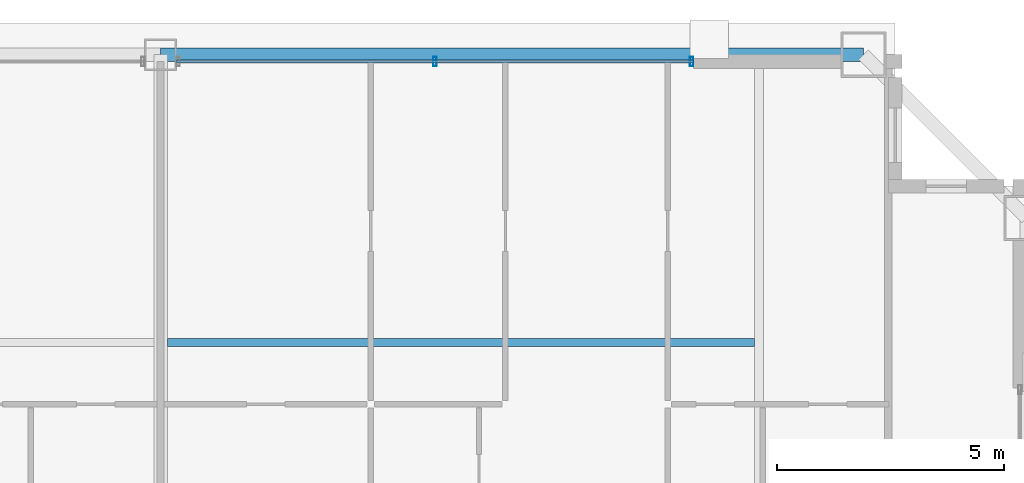
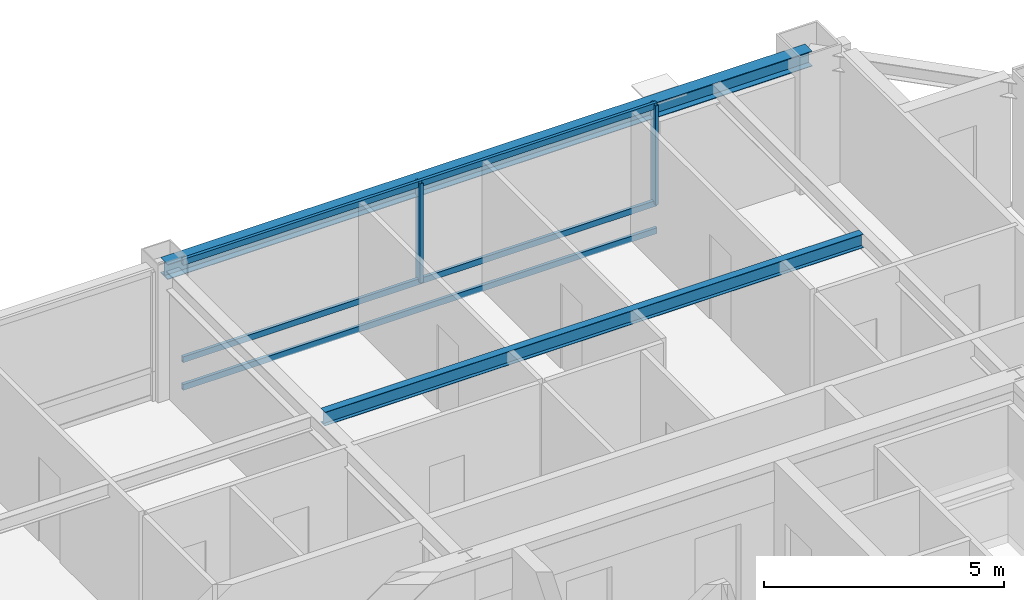
# One storey, part 19 of 35: 5 members, 2 beams, 1 element without a shape of its own.
"""IFC4 building model written with IfcOpenShell, lengths in metres."""

from ifc_helpers import new_model, si_unit, direction, frame, origin, origin_2d, place, context, subcontext, project, spatial, hollow_rectangle, i_section, extrude, source, transform, mapped, material, layer, layer_set, material_profile, profile_set, type_object, element, aggregate, save


model = new_model("IFC4")

# Units and contexts
model_context = context("Model", 3, precision=1e-05, world=origin(), true_north=direction((0.0, 1.0)))
body_context = subcontext(model_context, "Body", "Model", "MODEL_VIEW")
ifc_project = project(units=[si_unit("LENGTHUNIT", "METRE"), si_unit("AREAUNIT", "SQUARE_METRE"), si_unit("VOLUMEUNIT", "CUBIC_METRE"), si_unit("PLANEANGLEUNIT", "RADIAN"), si_unit("MASSUNIT", "GRAM", prefix="KILO"), si_unit("THERMODYNAMICTEMPERATUREUNIT", "KELVIN"), si_unit("POWERUNIT", "WATT")], contexts=[model_context])

# Site, building, storey
site_placement = place(None, origin())
site = spatial("IfcSite", under=ifc_project, at=site_placement, CompositionType="ELEMENT")
building_placement = place(site_placement, origin())
building = spatial("IfcBuilding", under=site, at=building_placement, Name="Yuzanri Waterfront Tower", CompositionType="ELEMENT")
storey_placement = place(building_placement, frame((0.0, 0.0, 332.199951171875)))
storey = spatial("IfcBuildingStorey", under=building, at=storey_placement, Name="L89", CompositionType="ELEMENT", Elevation=332.199951171875)

# Beams
ifc_material_1 = material(Name="Steel Q355B", Category="steel")
ifc_material_profile_1 = material_profile(ifc_material_1, i_section(OverallWidth=0.175048828125, OverallDepth=0.35009765625, WebThickness=0.007080078125, FlangeThickness=0.010986328125, at=origin_2d()), Name="HN 350x175x7x11")
ifc_profile_set_1 = profile_set([ifc_material_profile_1], Name="Steel Q355B")
beam_type_1 = type_object("IfcBeamType", Name="Floor Joist Q355B HN 350x175", PredefinedType="JOIST", material=ifc_profile_set_1)
shared_shape_1 = source(origin(), body_context, "Body", "SweptSolid", [
    extrude(i_section(OverallWidth=0.175048828125, OverallDepth=0.35009765625, WebThickness=0.007080078125, FlangeThickness=0.010986328125, at=origin_2d()), origin(), (0.0, 0.0, 1.0), 12.9501953125),
])
beam_1_placement = place(storey_placement, frame((37.14990234375, 38.550048828125, 3.10498046875), z_axis=(1.0, 0.0, 0.0), x_axis=(0.0, 1.0, 0.0)))
element("IfcBeam", 1, at=beam_1_placement, inside=storey, type_object=beam_type_1, Name="L89 North Bay Joist E", PredefinedType="JOIST", context=body_context, shape_type="MappedRepresentation", body=[
    mapped(shared_shape_1, transform((0.0, 0.0, 0.0), scale=1.0)),
])
ifc_material_2 = material(Name="Steel Q355B", Category="steel")
ifc_material_profile_2 = material_profile(ifc_material_2, i_section(OverallWidth=0.300048828125, OverallDepth=0.389892578125, WebThickness=0.010009765625, FlangeThickness=0.01611328125, at=origin_2d()), Name="HM 390x300x10x16")
ifc_profile_set_2 = profile_set([ifc_material_profile_2], Name="Steel Q355B")
beam_type_2 = type_object("IfcBeamType", Name="Perimeter Spandrel Q355B HM 390x300", PredefinedType="SPANDREL", material=ifc_profile_set_2)
shared_shape_2 = source(origin(), body_context, "Body", "SweptSolid", [
    extrude(i_section(OverallWidth=0.300048828125, OverallDepth=0.389892578125, WebThickness=0.010009765625, FlangeThickness=0.01611328125, at=origin_2d()), origin(), (0.0, 0.0, 1.0), 15.5),
])
beam_2_placement = place(storey_placement, frame((52.5, 44.89990234375, 3.0849609375), z_axis=(-1.0, 0.0, 0.0), x_axis=(0.0, -1.0, 0.0)))
element("IfcBeam", 2, at=beam_2_placement, inside=storey, type_object=beam_type_2, Name="L89 Perimeter Spandrel N3-N2", PredefinedType="SPANDREL", context=body_context, shape_type="MappedRepresentation", body=[
    mapped(shared_shape_2, transform((0.0, 0.0, 0.0), scale=1.0)),
])

# Curtain wall, members
ifc_material_3 = material(Name="Anodized Architectural Bronze", Category="metal")
ifc_layer = layer(ifc_material_3, 0.159912109375)
ifc_layer_set = layer_set([ifc_layer], Name="Anodized Architectural Bronze")
curtain_wall_type = type_object("IfcCurtainWallType", Name="Anodized Bronze High-Rise Penthouse High-Wind Unitized Curtain Wall 6900", PredefinedType="NOTDEFINED", material=ifc_layer_set)
curtain_wall_placement = place(storey_placement, origin())
curtain_wall = element("IfcCurtainWall", 3, at=curtain_wall_placement, inside=storey, type_object=curtain_wall_type, Name="L89 Curtain Wall CW-L89-NR", PredefinedType="NOTDEFINED")
ifc_material_4 = material(Name="Anodized Architectural Bronze", Category="metal")
ifc_material_profile_3 = material_profile(ifc_material_4, hollow_rectangle(XDim=0.074951171875, YDim=0.199951171875, WallThickness=0.00390625, at=origin_2d()), Name="CWM 75x200")
ifc_profile_set_3 = profile_set([ifc_material_profile_3], Name="Anodized Architectural Bronze")
member_type_1 = type_object("IfcMemberType", Name="Anodized Bronze Primary Curtain-Wall Mullion 75x200", PredefinedType="MULLION", material=ifc_profile_set_3)
shared_shape_3 = source(origin(), body_context, "Body", "SweptSolid", [
    extrude(hollow_rectangle(XDim=0.074951171875, YDim=0.199951171875, WallThickness=0.00390625, at=origin_2d()), origin(), (0.0, 0.0, 1.0), 2.52392578125),
])
member_1_placement = place(storey_placement, frame((43.050048828125, 44.75, 0.756103515625), z_axis=(0.0, 0.0, 1.0), x_axis=(1.0, 0.0, 0.0)))
member_1 = element("IfcMember", 4, at=member_1_placement, type_object=member_type_1, Name="CW-L89-NR Upper Mullion 01", PredefinedType="MULLION", context=body_context, shape_type="MappedRepresentation", body=[
    mapped(shared_shape_3, transform((0.0, 0.0, 0.0), scale=1.0)),
])
member_2_placement = place(storey_placement, frame((48.7099609375, 44.75, 0.756103515625), z_axis=(0.0, 0.0, 1.0), x_axis=(1.0, 0.0, 0.0)))
member_2 = element("IfcMember", 5, at=member_2_placement, type_object=member_type_1, Name="CW-L89-NR Upper Mullion 02", PredefinedType="MULLION", context=body_context, shape_type="MappedRepresentation", body=[
    mapped(shared_shape_3, transform((0.0, 0.0, 0.0), scale=1.0)),
])
ifc_material_5 = material(Name="Anodized Architectural Bronze", Category="metal")
ifc_material_profile_4 = material_profile(ifc_material_5, hollow_rectangle(XDim=0.074951171875, YDim=0.14990234375, WallThickness=0.00390625, at=origin_2d()), Name="CWT 75x150")
ifc_profile_set_4 = profile_set([ifc_material_profile_4], Name="Anodized Architectural Bronze")
member_type_2 = type_object("IfcMemberType", Name="Anodized Bronze Primary Curtain-Wall Transom 75x150", PredefinedType="USERDEFINED", material=ifc_profile_set_4)
shared_shape_4 = source(origin(), body_context, "Body", "SweptSolid", [
    extrude(hollow_rectangle(XDim=0.074951171875, YDim=0.14990234375, WallThickness=0.00390625, at=origin_2d()), origin(), (0.0, 0.0, 1.0), 11.39990234375),
])
member_3_placement = place(storey_placement, frame((37.35009765625, 44.75, 0.050048828125), z_axis=(1.0, 0.0, 0.0), x_axis=(0.0, 1.0, 0.0)))
member_3 = element("IfcMember", 6, at=member_3_placement, type_object=member_type_2, Name="CW-L89-NR Transom 1", ObjectType="TRANSOM", PredefinedType="USERDEFINED", context=body_context, shape_type="MappedRepresentation", body=[
    mapped(shared_shape_4, transform((0.0, 0.0, 0.0), scale=1.0)),
])
member_4_placement = place(storey_placement, frame((37.35009765625, 44.75, 0.754150390625), z_axis=(1.0, 0.0, 0.0), x_axis=(0.0, 1.0, 0.0)))
member_4 = element("IfcMember", 7, at=member_4_placement, type_object=member_type_2, Name="CW-L89-NR Transom 2", ObjectType="TRANSOM", PredefinedType="USERDEFINED", context=body_context, shape_type="MappedRepresentation", body=[
    mapped(shared_shape_4, transform((0.0, 0.0, 0.0), scale=1.0)),
])
member_5_placement = place(storey_placement, frame((37.35009765625, 44.75, 3.22998046875), z_axis=(1.0, 0.0, 0.0), x_axis=(0.0, 1.0, 0.0)))
member_5 = element("IfcMember", 8, at=member_5_placement, type_object=member_type_2, Name="CW-L89-NR Transom 3", ObjectType="TRANSOM", PredefinedType="USERDEFINED", context=body_context, shape_type="MappedRepresentation", body=[
    mapped(shared_shape_4, transform((0.0, 0.0, 0.0), scale=1.0)),
])
aggregate(curtain_wall, [member_1, member_2, member_3, member_4, member_5])

save(model, "model.ifc")
